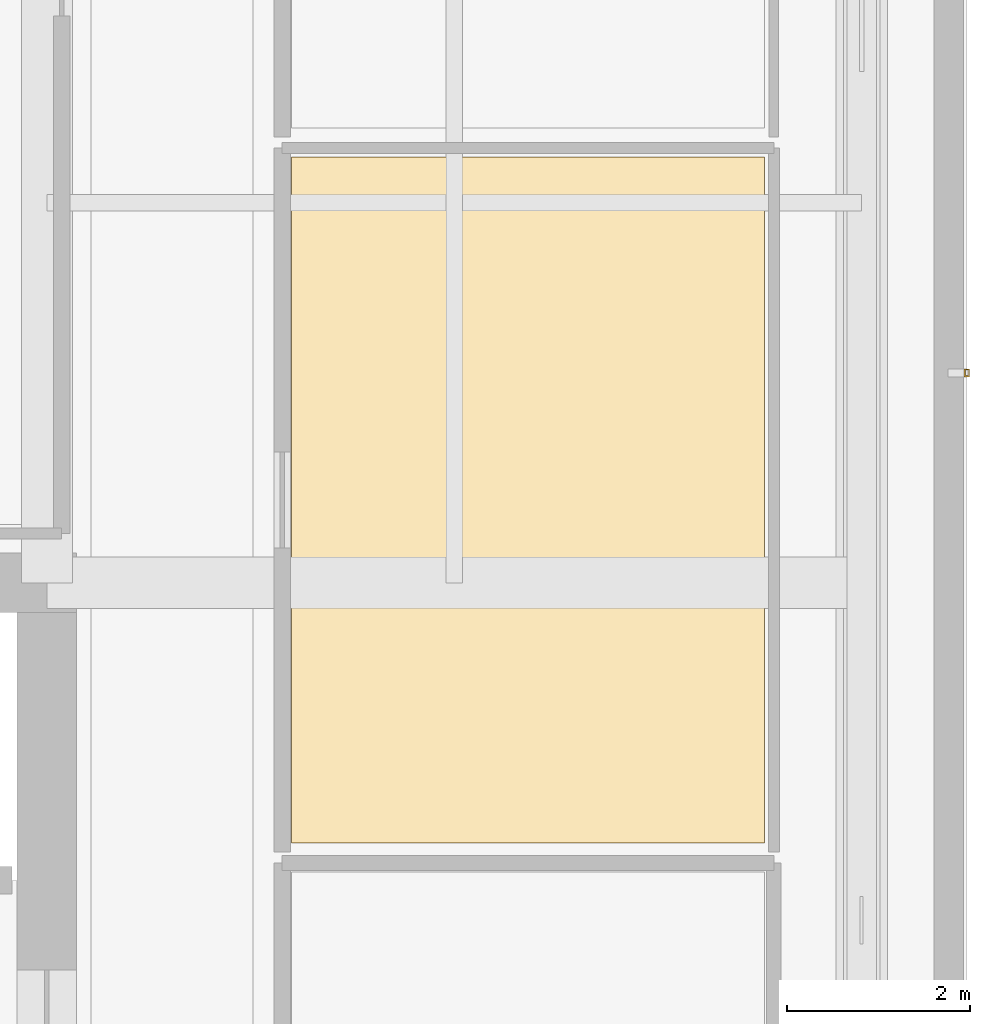
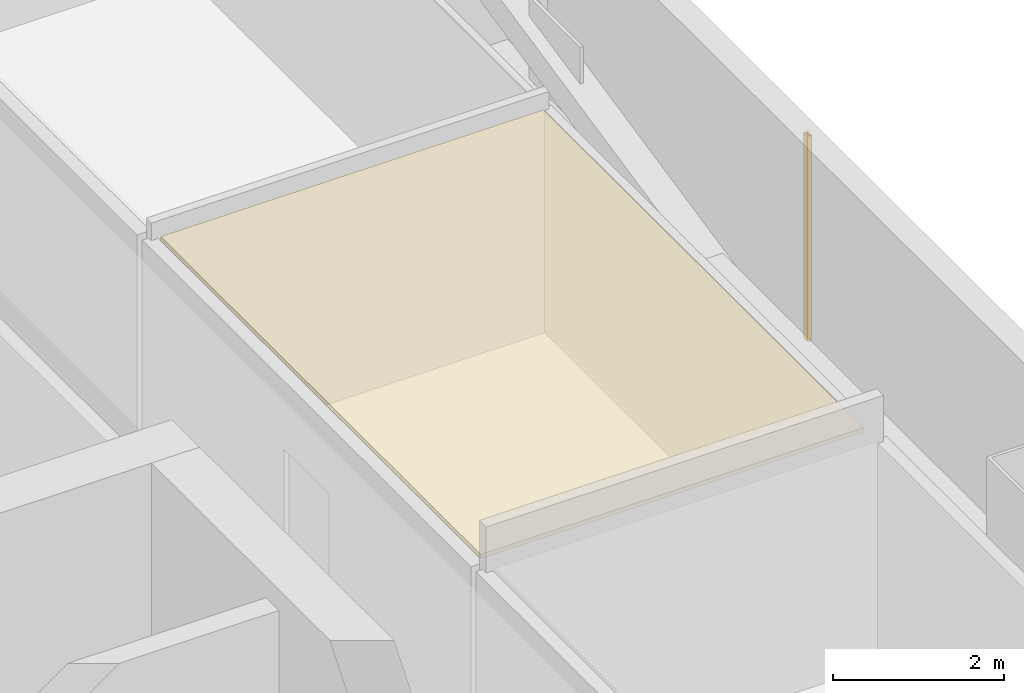
# One storey, part 29 of 32: 1 covering, 1 shading device.
"""IFC4 building model written with IfcOpenShell, lengths in metres."""

from ifc_helpers import new_model, si_unit, direction, frame, origin, origin_2d, place, context, subcontext, project, spatial, polyline, hollow_rectangle, outline, extrude, material, layer, layer_set, material_profile, profile_set, type_object, element, save


model = new_model("IFC4")

# Units and contexts
model_context = context("Model", 3, precision=1e-05, world=origin(), true_north=direction((0.0, 1.0)))
body_context = subcontext(model_context, "Body", "Model", "MODEL_VIEW")
ifc_project = project(units=[si_unit("LENGTHUNIT", "METRE"), si_unit("AREAUNIT", "SQUARE_METRE"), si_unit("VOLUMEUNIT", "CUBIC_METRE"), si_unit("PLANEANGLEUNIT", "RADIAN"), si_unit("MASSUNIT", "GRAM", prefix="KILO")], contexts=[model_context])

# Site, building, storey
site_placement = place(None, origin())
site = spatial("IfcSite", under=ifc_project, at=site_placement, CompositionType="ELEMENT")
building_placement = place(site_placement, origin())
building = spatial("IfcBuilding", under=site, at=building_placement, Name="Punatoya Terracotta Tower", CompositionType="ELEMENT")
storey_placement = place(building_placement, frame((0.0, 0.0, 139.800048828125)))
storey = spatial("IfcBuildingStorey", under=building, at=storey_placement, Name="L32", CompositionType="ELEMENT", Elevation=139.800048828125)

# Covering
ifc_material_1 = material(Name="Acoustic Mineral Fibre Ceiling")
ifc_layer = layer(ifc_material_1, 0.06005859375)
ifc_layer_set = layer_set([ifc_layer], Name="Acoustic Mineral Fibre Ceiling")
covering_type = type_object("IfcCoveringType", Name="COV-CEIL-60", PredefinedType="CEILING", material=ifc_layer_set)
covering_placement = place(storey_placement, frame((0.0, 0.0, 3.159912109375)))
element("IfcCovering", 1, at=covering_placement, inside=storey, type_object=covering_type, Name="L32 Acoustic Wellness Room Acoustic Ceiling", PredefinedType="CEILING", context=body_context, shape_type="SweptSolid", body=[
    extrude(outline(polyline([(12.8701171875, 13.85009765625), (12.8701171875, 6.360107421875), (18.0400390625, 6.360107421875), (18.0400390625, 13.85009765625), (12.8701171875, 13.85009765625)])), origin(), (0.0, 0.0, 1.0), 0.06005859375),
])

# Shading device
ifc_material_2 = material(Name="Architectural Fired Terracotta", Category="masonry")
ifc_material_profile = material_profile(ifc_material_2, hollow_rectangle(XDim=0.06005859375, YDim=0.090087890625, WallThickness=0.013916015625, at=origin_2d()))
ifc_profile_set = profile_set([ifc_material_profile], Name="Architectural Fired Terracotta")
shading_device_type = type_object("IfcShadingDeviceType", Name="SHD-JALI-90", PredefinedType="JALOUSIE", material=ifc_profile_set)
shading_device_placement = place(storey_placement, frame((20.25, 11.493408203125, 0.599853515625), z_axis=(0.0, 0.0, 1.0), x_axis=(1.0, 0.0, 0.0)))
element("IfcShadingDevice", 2, at=shading_device_placement, inside=storey, type_object=shading_device_type, Name="L32 Braced Bay Terracotta Jali Fin E2", PredefinedType="JALOUSIE", context=body_context, shape_type="SweptSolid", body=[
    extrude(hollow_rectangle(XDim=0.06005859375, YDim=0.090087890625, WallThickness=0.013916015625, at=origin_2d()), origin(), (0.0, 0.0, 1.0), 2.93017578125),
])

save(model, "model.ifc")
